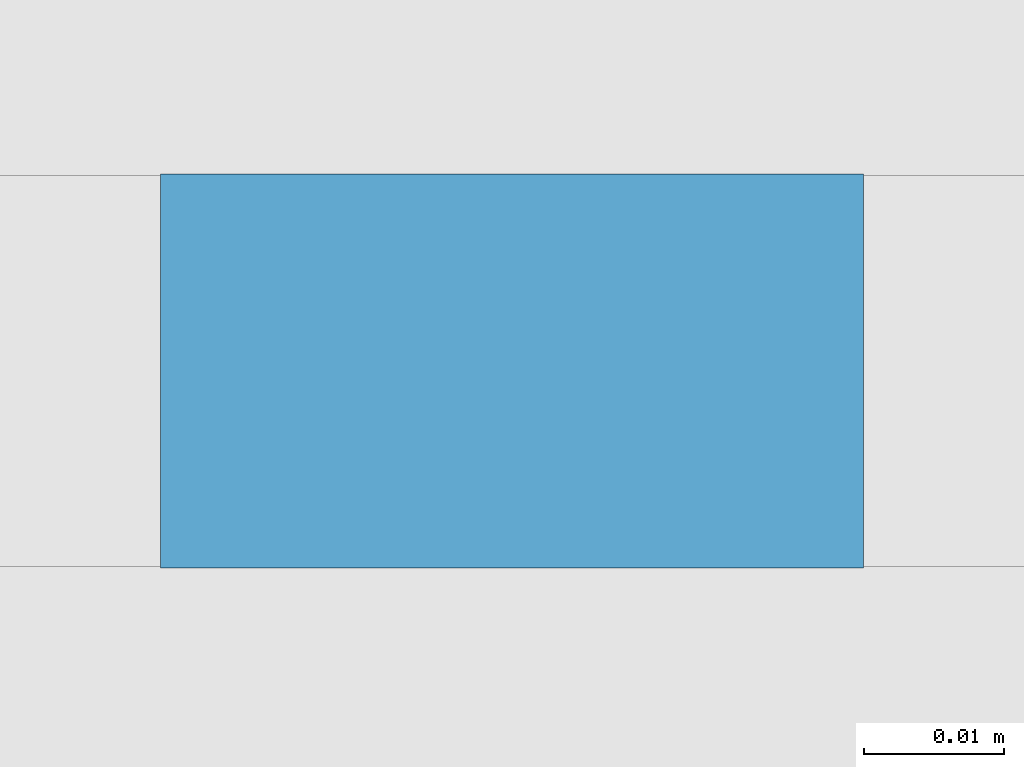
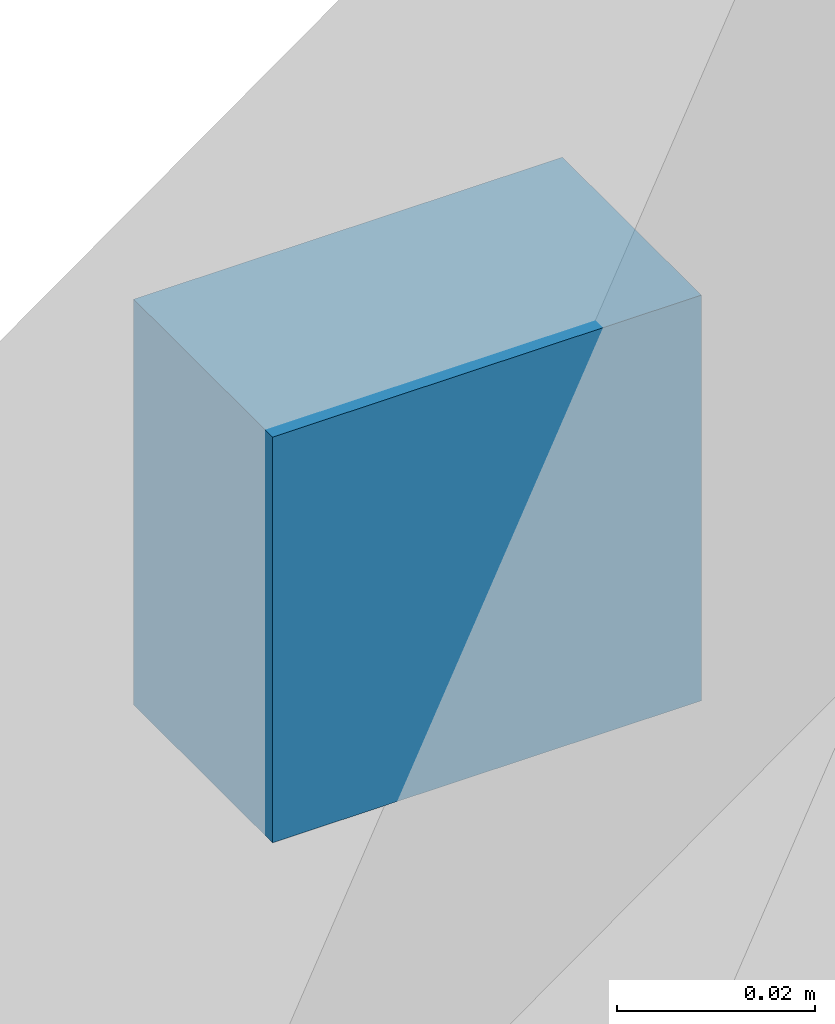
# One storey, part 20 of 24: 1 discrete accessory, 1 element without a shape of its own.
"""IFC4 building model written with IfcOpenShell, lengths in metres."""

from ifc_helpers import new_model, si_unit, direction, frame, origin, origin_2d, place, context, subcontext, project, spatial, rectangle, extrude, material, type_object, element, aggregate, save


model = new_model("IFC4")

# Units and contexts
model_context = context("Model", 3, precision=1e-05, world=origin(), true_north=direction((0.0, 1.0)))
body_context = subcontext(model_context, "Body", "Model", "MODEL_VIEW")
ifc_project = project(units=[si_unit("LENGTHUNIT", "METRE"), si_unit("AREAUNIT", "SQUARE_METRE"), si_unit("VOLUMEUNIT", "CUBIC_METRE"), si_unit("PLANEANGLEUNIT", "RADIAN"), si_unit("MASSUNIT", "GRAM", prefix="KILO")], contexts=[model_context])

# Site, building, storey
site_placement = place(None, origin())
site = spatial("IfcSite", under=ifc_project, at=site_placement, CompositionType="ELEMENT")
building_placement = place(site_placement, origin())
building = spatial("IfcBuilding", under=site, at=building_placement, Name="Tessera Arch", CompositionType="ELEMENT")
storey_placement = place(building_placement, frame((0.0, 0.0, 112.0)))
storey = spatial("IfcBuildingStorey", under=building, at=storey_placement, Name="L26", CompositionType="ELEMENT", Elevation=112.0)

# Curtain wall, discrete accessory
ifc_material = material(Name="CW3 curtain wall")
curtain_wall_type = type_object("IfcCurtainWallType", Name="CW3 curtain wall", PredefinedType="NOTDEFINED", material=ifc_material)
curtain_wall_placement = place(storey_placement, origin())
curtain_wall = element("IfcCurtainWall", 1, at=curtain_wall_placement, inside=storey, type_object=curtain_wall_type, Name="CW3 curtain wall N54.0/2 L26", PredefinedType="NOTDEFINED")
discrete_accessory_placement = place(storey_placement, frame((22.00390625, 54.0439453125, 1.00830078125), z_axis=(0.0, 0.0, 1.0), x_axis=(-1.0, 0.0, 0.0)))
discrete_accessory = element("IfcDiscreteAccessory", 2, at=discrete_accessory_placement, Name="Glazing bracket", PredefinedType="BRACKET", context=body_context, shape_type="SweptSolid", body=[
    extrude(rectangle(XDim=0.050048828125, YDim=0.028076171875, at=origin_2d()), origin(), (0.0, 0.0, 1.0), 0.050048828125),
])
aggregate(curtain_wall, [discrete_accessory])

save(model, "model.ifc")
